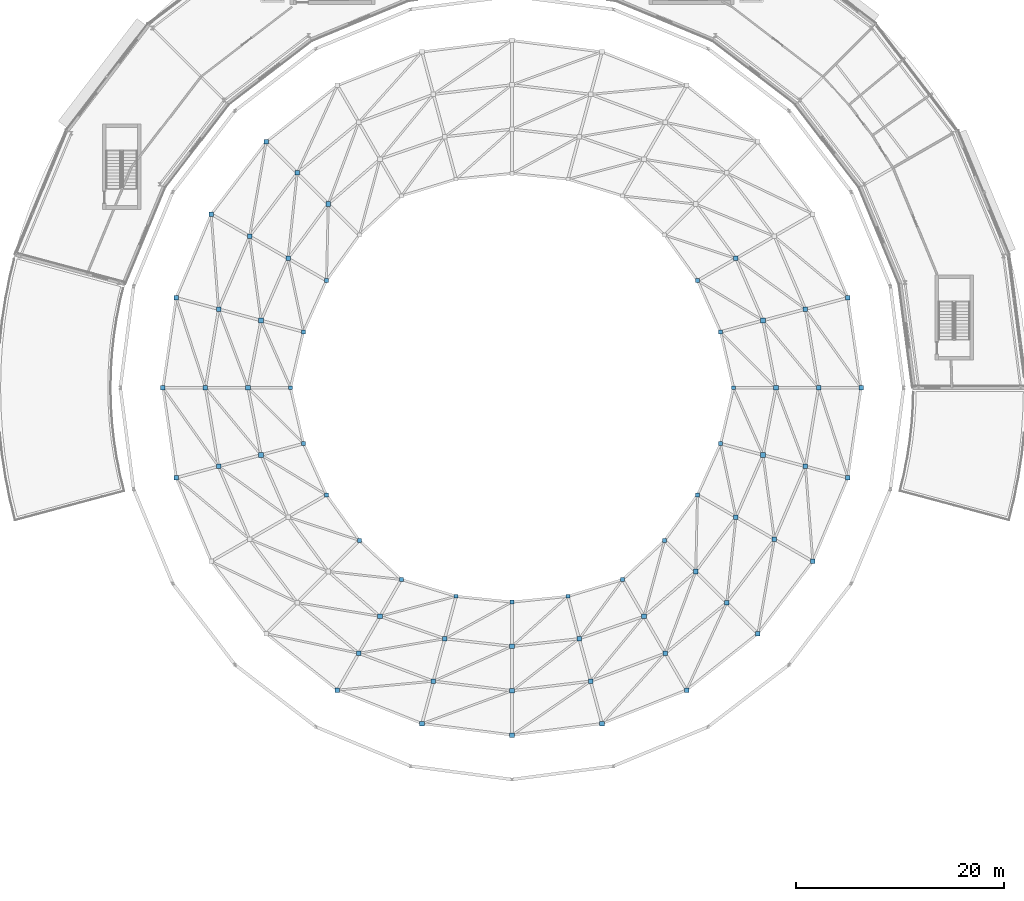
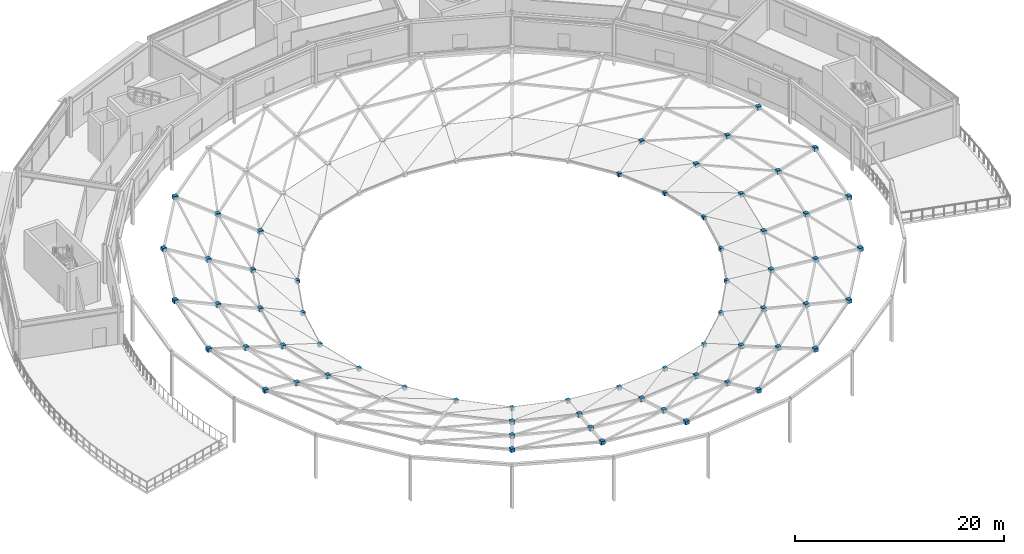
# One storey, part 57 of 89: 63 plates.
"""IFC4 building model written with IfcOpenShell, lengths in metres."""

from ifc_helpers import new_model, si_unit, direction, frame, origin, origin_2d, place, context, subcontext, project, spatial, rectangle, extrude, material, layer, layer_set, type_object, element, save


model = new_model("IFC4")

# Units and contexts
model_context = context("Model", 3, precision=1e-05, world=origin(), true_north=direction((0.0, 1.0)))
body_context = subcontext(model_context, "Body", "Model", "MODEL_VIEW")
ifc_project = project(units=[si_unit("LENGTHUNIT", "METRE"), si_unit("AREAUNIT", "SQUARE_METRE"), si_unit("VOLUMEUNIT", "CUBIC_METRE"), si_unit("PLANEANGLEUNIT", "RADIAN"), si_unit("MASSUNIT", "GRAM", prefix="KILO")], contexts=[model_context])

# Site, building, storey
site_placement = place(None, origin())
site = spatial("IfcSite", under=ifc_project, at=site_placement, CompositionType="ELEMENT")
building_placement = place(site_placement, origin())
building = spatial("IfcBuilding", under=site, at=building_placement, Name="Almandine Court Research Institute", CompositionType="ELEMENT")
storey_placement = place(building_placement, frame((0.0, 0.0, 18.89990234375)))
storey = spatial("IfcBuildingStorey", under=building, at=storey_placement, Name="L04", CompositionType="ELEMENT", Elevation=18.89990234375)

# Plates
ifc_material = material(Name="Steel ASTM A36", Category="steel")
ifc_layer_1 = layer(ifc_material, 0.419921875)
ifc_layer_set_1 = layer_set([ifc_layer_1], Name="Steel ASTM A36")
plate_type_1 = type_object("IfcPlateType", Name="Plate-NP-01", PredefinedType="SHEET", material=ifc_layer_set_1)
for number, where, z_axis, x_axis, name in (
    (1, (120.556884765625, 56.0, 3.783203125), (0.0, 0.0, 1.0), (1.0, 0.0, 0.0), "Atrium Conical Gridshell Welded Star Node R1-S00"),
    (2, (116.464111328125, 56.0, 2.526123046875), (0.0, 0.0, 1.0), (1.0, 0.0, 0.0), "Atrium Conical Gridshell Welded Star Node R2-S00"),
    (3, (112.37109375, 56.0, 1.26904296875), (0.0, 0.0, 1.0), (1.0, 0.0, 0.0), "Atrium Conical Gridshell Welded Star Node R3-S00"),
    (4, (119.284912109375, 64.65087890625, 3.783203125), (0.0, 0.0, 1.0), (1.0, 0.0, 0.0), "Atrium Conical Gridshell Welded Star Node R1-S01"),
    (5, (115.202880859375, 63.556884765625, 2.526123046875), (0.0, 0.0, 1.0), (1.0, 0.0, 0.0), "Atrium Conical Gridshell Welded Star Node R2-S01"),
    (6, (111.1220703125, 62.462890625, 1.26904296875), (0.0, 0.0, 1.0), (1.0, 0.0, 0.0), "Atrium Conical Gridshell Welded Star Node R3-S01"),
    (7, (108.52490234375, 68.427001953125, 1.26904296875), (0.0, 0.0, 1.0), (1.0, 0.0, 0.0), "Atrium Conical Gridshell Welded Star Node R3-S02"),
    (8, (63.365966796875, 79.634033203125, 3.783203125), (0.0, 0.0, 1.0), (1.0, 0.0, 0.0), "Atrium Conical Gridshell Welded Star Node R1-S09"),
    (9, (66.35400390625, 76.64599609375, 2.526123046875), (0.0, 0.0, 1.0), (1.0, 0.0, 0.0), "Atrium Conical Gridshell Welded Star Node R2-S09"),
    (10, (69.342041015625, 73.657958984375, 1.26904296875), (0.0, 0.0, 1.0), (1.0, 0.0, 0.0), "Atrium Conical Gridshell Welded Star Node R3-S09"),
    (11, (58.087890625, 72.69189453125, 3.783203125), (0.0, 0.0, 1.0), (1.0, 0.0, 0.0), "Atrium Conical Gridshell Welded Star Node R1-S10"),
    (12, (61.781982421875, 70.56005859375, 2.526123046875), (0.0, 0.0, 1.0), (1.0, 0.0, 0.0), "Atrium Conical Gridshell Welded Star Node R2-S10"),
    (13, (65.47509765625, 68.427001953125, 1.26904296875), (0.0, 0.0, 1.0), (1.0, 0.0, 0.0), "Atrium Conical Gridshell Welded Star Node R3-S10"),
    (14, (54.715087890625, 64.65087890625, 3.783203125), (0.0, 0.0, 1.0), (1.0, 0.0, 0.0), "Atrium Conical Gridshell Welded Star Node R1-S11"),
    (15, (58.797119140625, 63.556884765625, 2.526123046875), (0.0, 0.0, 1.0), (1.0, 0.0, 0.0), "Atrium Conical Gridshell Welded Star Node R2-S11"),
    (16, (62.8779296875, 62.462890625, 1.26904296875), (0.0, 0.0, 1.0), (1.0, 0.0, 0.0), "Atrium Conical Gridshell Welded Star Node R3-S11"),
    (17, (53.443115234375, 56.0, 3.783203125), (0.0, 0.0, 1.0), (1.0, 0.0, 0.0), "Atrium Conical Gridshell Welded Star Node R1-S12"),
    (18, (57.535888671875, 56.0, 2.526123046875), (0.0, 0.0, 1.0), (1.0, 0.0, 0.0), "Atrium Conical Gridshell Welded Star Node R2-S12"),
    (19, (61.62890625, 56.0, 1.26904296875), (0.0, 0.0, 1.0), (1.0, 0.0, 0.0), "Atrium Conical Gridshell Welded Star Node R3-S12"),
    (20, (54.715087890625, 47.34912109375, 3.783203125), (0.0, 0.0, 1.0), (1.0, 0.0, 0.0), "Atrium Conical Gridshell Welded Star Node R1-S13"),
    (21, (58.797119140625, 48.443115234375, 2.526123046875), (0.0, 0.0, 1.0), (1.0, 0.0, 0.0), "Atrium Conical Gridshell Welded Star Node R2-S13"),
    (22, (62.8779296875, 49.537109375, 1.26904296875), (0.0, 0.0, 1.0), (1.0, 0.0, 0.0), "Atrium Conical Gridshell Welded Star Node R3-S13"),
    (23, (70.220947265625, 26.93896484375, 3.783203125), (0.0, 0.0, 1.0), (1.0, 0.0, 0.0), "Atrium Conical Gridshell Welded Star Node R1-S16"),
    (24, (72.26806640625, 30.48291015625, 2.526123046875), (0.0, 0.0, 1.0), (1.0, 0.0, 0.0), "Atrium Conical Gridshell Welded Star Node R2-S16"),
    (25, (74.31396484375, 34.028076171875, 1.26904296875), (0.0, 0.0, 1.0), (1.0, 0.0, 0.0), "Atrium Conical Gridshell Welded Star Node R3-S16"),
    (26, (78.34912109375, 23.715087890625, 3.783203125), (0.0, 0.0, 1.0), (1.0, 0.0, 0.0), "Atrium Conical Gridshell Welded Star Node R1-S17"),
    (27, (79.443115234375, 27.797119140625, 2.526123046875), (0.0, 0.0, 1.0), (1.0, 0.0, 0.0), "Atrium Conical Gridshell Welded Star Node R2-S17"),
    (28, (80.537109375, 31.8779296875, 1.26904296875), (0.0, 0.0, 1.0), (1.0, 0.0, 0.0), "Atrium Conical Gridshell Welded Star Node R3-S17"),
    (29, (87.0, 22.614990234375, 3.783203125), (0.0, 0.0, 1.0), (1.0, 0.0, 0.0), "Atrium Conical Gridshell Welded Star Node R1-S18"),
    (30, (87.0, 26.8798828125, 2.526123046875), (0.0, 0.0, 1.0), (1.0, 0.0, 0.0), "Atrium Conical Gridshell Welded Star Node R2-S18"),
    (31, (87.0, 31.14501953125, 1.26904296875), (0.0, 0.0, 1.0), (1.0, 0.0, 0.0), "Atrium Conical Gridshell Welded Star Node R3-S18"),
    (32, (95.65087890625, 23.715087890625, 3.783203125), (0.0, 0.0, 1.0), (1.0, 0.0, 0.0), "Atrium Conical Gridshell Welded Star Node R1-S19"),
    (33, (94.556884765625, 27.797119140625, 2.526123046875), (0.0, 0.0, 1.0), (1.0, 0.0, 0.0), "Atrium Conical Gridshell Welded Star Node R2-S19"),
    (34, (93.462890625, 31.8779296875, 1.26904296875), (0.0, 0.0, 1.0), (1.0, 0.0, 0.0), "Atrium Conical Gridshell Welded Star Node R3-S19"),
    (35, (103.779052734375, 26.93896484375, 3.783203125), (0.0, 0.0, 1.0), (1.0, 0.0, 0.0), "Atrium Conical Gridshell Welded Star Node R1-S20"),
    (36, (101.73193359375, 30.48291015625, 2.526123046875), (0.0, 0.0, 1.0), (1.0, 0.0, 0.0), "Atrium Conical Gridshell Welded Star Node R2-S20"),
    (37, (99.68603515625, 34.028076171875, 1.26904296875), (0.0, 0.0, 1.0), (1.0, 0.0, 0.0), "Atrium Conical Gridshell Welded Star Node R3-S20"),
    (38, (110.634033203125, 32.365966796875, 3.783203125), (0.0, 0.0, 1.0), (1.0, 0.0, 0.0), "Atrium Conical Gridshell Welded Star Node R1-S21"),
    (39, (107.64599609375, 35.35400390625, 2.526123046875), (0.0, 0.0, 1.0), (1.0, 0.0, 0.0), "Atrium Conical Gridshell Welded Star Node R2-S21"),
    (40, (104.657958984375, 38.342041015625, 1.26904296875), (0.0, 0.0, 1.0), (1.0, 0.0, 0.0), "Atrium Conical Gridshell Welded Star Node R3-S21"),
    (41, (115.912109375, 39.30810546875, 3.783203125), (0.0, 0.0, 1.0), (1.0, 0.0, 0.0), "Atrium Conical Gridshell Welded Star Node R1-S22"),
    (42, (112.218017578125, 41.43994140625, 2.526123046875), (0.0, 0.0, 1.0), (1.0, 0.0, 0.0), "Atrium Conical Gridshell Welded Star Node R2-S22"),
    (43, (108.52490234375, 43.572998046875, 1.26904296875), (0.0, 0.0, 1.0), (1.0, 0.0, 0.0), "Atrium Conical Gridshell Welded Star Node R3-S22"),
    (44, (119.284912109375, 47.34912109375, 3.783203125), (0.0, 0.0, 1.0), (1.0, 0.0, 0.0), "Atrium Conical Gridshell Welded Star Node R1-S23"),
    (45, (115.202880859375, 48.443115234375, 2.526123046875), (0.0, 0.0, 1.0), (1.0, 0.0, 0.0), "Atrium Conical Gridshell Welded Star Node R2-S23"),
    (46, (111.1220703125, 49.537109375, 1.26904296875), (0.0, 0.0, 1.0), (1.0, 0.0, 0.0), "Atrium Conical Gridshell Welded Star Node R3-S23"),
):
    element("IfcPlate", number, at=place(storey_placement, frame(where, z_axis=z_axis, x_axis=x_axis)), inside=storey, type_object=plate_type_1, Name=name, PredefinedType="SHEET", context=body_context, shape_type="SweptSolid", body=[
        extrude(rectangle(XDim=0.43994140625, YDim=0.43994140625, at=origin_2d()), origin(), (0.0, 0.0, 1.0), 0.419921875),
    ])
ifc_layer_2 = layer(ifc_material, 0.3798828125)
ifc_layer_set_2 = layer_set([ifc_layer_2], Name="Steel ASTM A36")
plate_type_2 = type_object("IfcPlateType", Name="Plate-NP-02", PredefinedType="SHEET", material=ifc_layer_set_2)
for number, where, z_axis, x_axis, name in (
    (47, (108.279052734375, 56.0, 0.03125), (0.0, 0.0, 1.0), (1.0, 0.0, 0.0), "Atrium Conical Gridshell Welded Star Node R4-S00"),
    (48, (107.0400390625, 61.3701171875, 0.03125), (0.0, 0.0, 1.0), (1.0, 0.0, 0.0), "Atrium Conical Gridshell Welded Star Node R4-S01"),
    (49, (104.8310546875, 66.294921875, 0.03125), (0.0, 0.0, 1.0), (1.0, 0.0, 0.0), "Atrium Conical Gridshell Welded Star Node R4-S02"),
    (50, (69.1689453125, 66.294921875, 0.03125), (0.0, 0.0, 1.0), (1.0, 0.0, 0.0), "Atrium Conical Gridshell Welded Star Node R4-S10"),
    (51, (66.9599609375, 61.3701171875, 0.03125), (0.0, 0.0, 1.0), (1.0, 0.0, 0.0), "Atrium Conical Gridshell Welded Star Node R4-S11"),
    (52, (65.720947265625, 56.0, 0.03125), (0.0, 0.0, 1.0), (1.0, 0.0, 0.0), "Atrium Conical Gridshell Welded Star Node R4-S12"),
    (53, (66.9599609375, 50.6298828125, 0.03125), (0.0, 0.0, 1.0), (1.0, 0.0, 0.0), "Atrium Conical Gridshell Welded Star Node R4-S13"),
    (54, (69.1689453125, 45.705078125, 0.03125), (0.0, 0.0, 1.0), (1.0, 0.0, 0.0), "Atrium Conical Gridshell Welded Star Node R4-S14"),
    (55, (72.330078125, 41.330078125, 0.03125), (0.0, 0.0, 1.0), (1.0, 0.0, 0.0), "Atrium Conical Gridshell Welded Star Node R4-S15"),
    (56, (76.361083984375, 37.572021484375, 0.03125), (0.0, 0.0, 1.0), (1.0, 0.0, 0.0), "Atrium Conical Gridshell Welded Star Node R4-S16"),
    (57, (81.6298828125, 35.9599609375, 0.03125), (0.0, 0.0, 1.0), (1.0, 0.0, 0.0), "Atrium Conical Gridshell Welded Star Node R4-S17"),
    (58, (87.0, 35.409912109375, 0.03125), (0.0, 0.0, 1.0), (1.0, 0.0, 0.0), "Atrium Conical Gridshell Welded Star Node R4-S18"),
    (59, (92.3701171875, 35.9599609375, 0.03125), (0.0, 0.0, 1.0), (1.0, 0.0, 0.0), "Atrium Conical Gridshell Welded Star Node R4-S19"),
    (60, (97.638916015625, 37.572021484375, 0.03125), (0.0, 0.0, 1.0), (1.0, 0.0, 0.0), "Atrium Conical Gridshell Welded Star Node R4-S20"),
    (61, (101.669921875, 41.330078125, 0.03125), (0.0, 0.0, 1.0), (1.0, 0.0, 0.0), "Atrium Conical Gridshell Welded Star Node R4-S21"),
    (62, (104.8310546875, 45.705078125, 0.03125), (0.0, 0.0, 1.0), (1.0, 0.0, 0.0), "Atrium Conical Gridshell Welded Star Node R4-S22"),
    (63, (107.0400390625, 50.6298828125, 0.03125), (0.0, 0.0, 1.0), (1.0, 0.0, 0.0), "Atrium Conical Gridshell Welded Star Node R4-S23"),
):
    element("IfcPlate", number, at=place(storey_placement, frame(where, z_axis=z_axis, x_axis=x_axis)), inside=storey, type_object=plate_type_2, Name=name, PredefinedType="SHEET", context=body_context, shape_type="SweptSolid", body=[
        extrude(rectangle(XDim=0.3798828125, YDim=0.3798828125, at=origin_2d()), origin(), (0.0, 0.0, 1.0), 0.3798828125),
    ])

save(model, "model.ifc")
